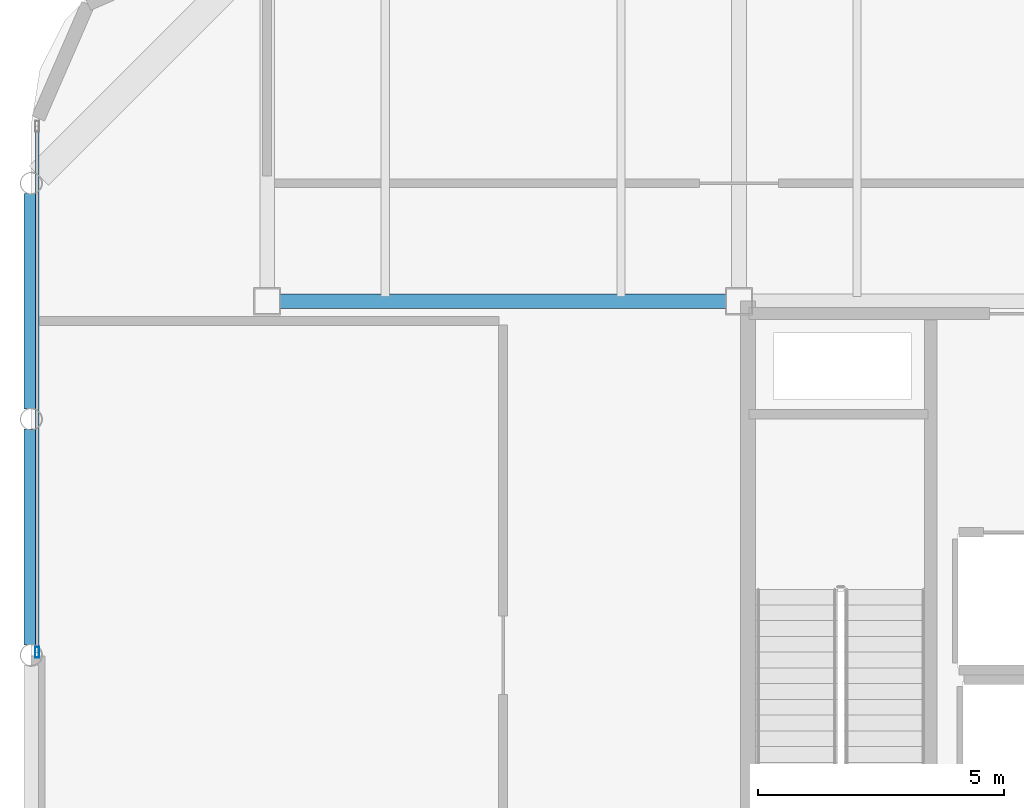
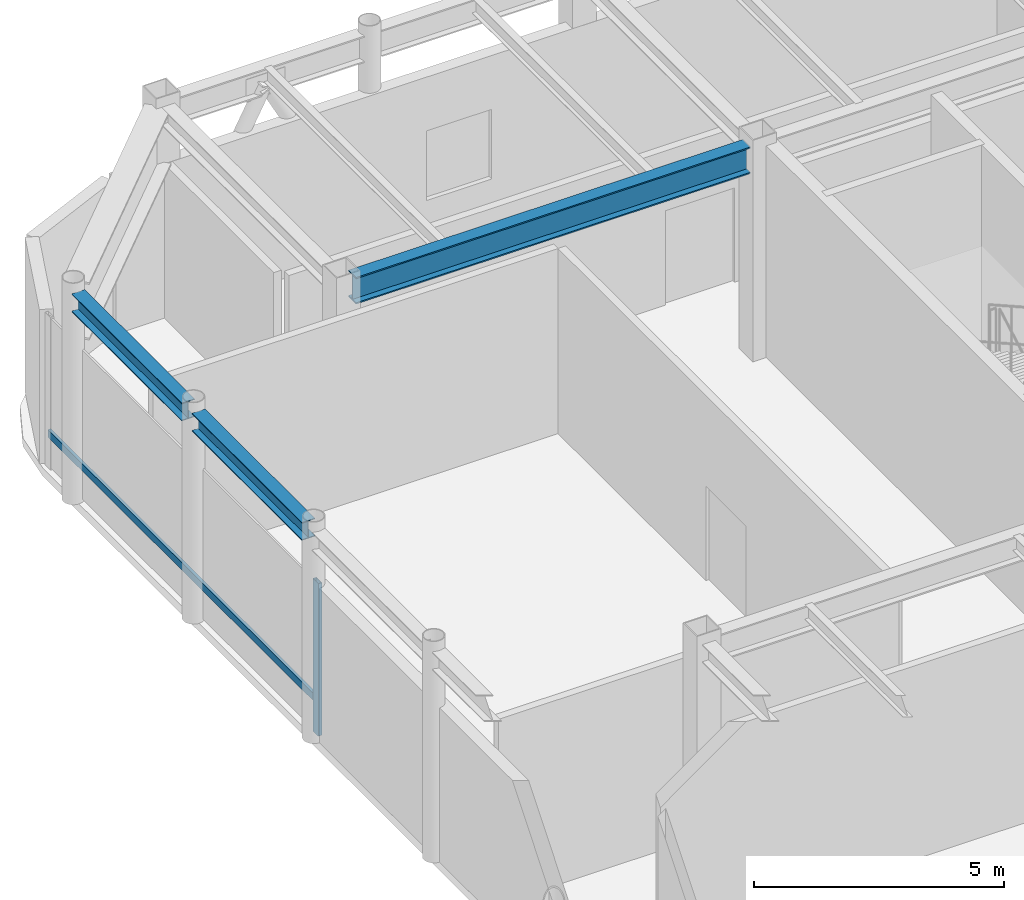
# One storey, part 7 of 21: 3 beams, 2 members, 1 element without a shape of its own.
"""IFC4 building model written with IfcOpenShell, lengths in metres."""

import ifcopenshell
import ifcopenshell.guid

model = None  # the IFC model being written
_history = None  # IfcOwnerHistory: only IFC2X3 demands one
_inside = {}  # id of a spatial element -> (the spatial element, [elements in it])
_under = {}  # id of a project, library or spatial element -> (it, [spatial elements below it])
_declared = {}  # id of a project -> (the project, [libraries it declares])
_typed = {}  # id of a type object -> (the type object, [elements of that type])
_made_of = {}  # id of a material, layer set ... -> (it, [elements and type objects made of it])


def new_model(schema):
    """Start an empty IFC model of exactly this schema.

    Asked for "IFC4X3", IfcOpenShell would pick the latest addendum, in which some entities
    have other attributes; the version numbers below select the first issue.
    IFC2X3 requires an IfcOwnerHistory on every rooted entity: one is made here for all.
    """
    global model, _history
    if schema == "IFC4X3":
        model = ifcopenshell.file(schema_version=(4, 3, 0, 0))
    else:
        model = ifcopenshell.file(schema=schema)
    _inside.clear()
    _under.clear()
    _declared.clear()
    _typed.clear()
    _made_of.clear()
    _history = None
    if model.schema == "IFC2X3":
        org = make("IfcOrganization", Name="unknown")
        user = make(
            "IfcPersonAndOrganization",
            ThePerson=make("IfcPerson", FamilyName="unknown"),
            TheOrganization=org,
        )
        app = make(
            "IfcApplication",
            ApplicationDeveloper=org,
            Version="unknown",
            ApplicationFullName="unknown",
            ApplicationIdentifier="unknown",
        )
        _history = make(
            "IfcOwnerHistory",
            OwningUser=user,
            OwningApplication=app,
            ChangeAction="ADDED",
            CreationDate=0,
        )
    return model


def make(cls, **values):
    """One entity of the class cls with the attributes given. An attribute that is None is left unset."""
    return model.create_entity(
        cls, **{name: value for name, value in values.items() if value is not None}
    )


def rooted(cls, **values):
    """An entity with a GlobalId (a new one), such as an element, a storey or a relation."""
    return make(cls, GlobalId=ifcopenshell.guid.new(), OwnerHistory=_history, **values)


def si_unit(unit_type, name, prefix=None):
    """IfcSIUnit, for example si_unit("LENGTHUNIT", "METRE", prefix="MILLI")."""
    return make("IfcSIUnit", UnitType=unit_type, Prefix=prefix, Name=name)


def assignment(units):
    """IfcUnitAssignment: the units of a project."""
    return None if units is None else make("IfcUnitAssignment", Units=units)


def point(xyz):
    """IfcCartesianPoint."""
    return None if xyz is None else make("IfcCartesianPoint", Coordinates=xyz)


def direction(xyz):
    """IfcDirection."""
    return None if xyz is None else make("IfcDirection", DirectionRatios=xyz)


def frame(location, z_axis=None, x_axis=None):
    """IfcAxis2Placement3D, a coordinate frame: its origin and axes. An axis left out is left unset."""
    return make(
        "IfcAxis2Placement3D",
        Location=point(location),
        Axis=direction(z_axis),
        RefDirection=direction(x_axis),
    )


def frame_2d(location, x_axis=None):
    """IfcAxis2Placement2D, a coordinate frame in the plane: its origin and x axis."""
    return make(
        "IfcAxis2Placement2D", Location=point(location), RefDirection=direction(x_axis)
    )


def origin():
    """The frame at (0, 0, 0) with its axes left unset."""
    return frame((0.0, 0.0, 0.0))


def origin_2d():
    """The frame at (0, 0) in the plane with its x axis left unset."""
    return frame_2d((0.0, 0.0))


def place(relative_to, where):
    """IfcLocalPlacement: puts the frame where relative to a parent placement (None: the world)."""
    return make(
        "IfcLocalPlacement", PlacementRelTo=relative_to, RelativePlacement=where
    )


def context(
    kind, dimensions, precision=None, world=None, true_north=None, identifier=None
):
    """IfcGeometricRepresentationContext, for example the 3D "Model" context."""
    return make(
        "IfcGeometricRepresentationContext",
        ContextIdentifier=identifier,
        ContextType=kind,
        CoordinateSpaceDimension=dimensions,
        Precision=precision,
        WorldCoordinateSystem=world,
        TrueNorth=true_north,
    )


def subcontext(parent, identifier, kind, view, scale=None):
    """IfcGeometricRepresentationSubContext, for example "Body" below "Model"."""
    return make(
        "IfcGeometricRepresentationSubContext",
        ContextIdentifier=identifier,
        ContextType=kind,
        ParentContext=parent,
        TargetScale=scale,
        TargetView=view,
    )


def project(units=None, contexts=None):
    """IfcProject with its units and contexts."""
    return rooted(
        "IfcProject",
        Name="project",
        RepresentationContexts=contexts,
        UnitsInContext=assignment(units),
    )


def spatial(cls, under=None, at=None, **own):
    """A site, building, storey or space (cls), placed at a placement, below another one or the project."""
    s = rooted(cls, ObjectPlacement=at, **own)
    if under is not None:
        _under.setdefault(under.id(), (under, []))[1].append(s)
    return s


def profile(cls, at=None, kind="AREA", **sizes):
    """A parametric profile (cls). Its sizes go by their IFC names, for example OverallWidth=200.0."""
    return make(cls, ProfileType=kind, Position=at, **sizes)


def hollow_rectangle(**sizes):
    """IfcRectangleHollowProfileDef."""
    return profile("IfcRectangleHollowProfileDef", **sizes)


def i_section(**sizes):
    """IfcIShapeProfileDef."""
    return profile("IfcIShapeProfileDef", **sizes)


def extrude(swept, where, along, depth):
    """IfcExtrudedAreaSolid: the profile swept, set in the frame where, extruded along a direction by depth."""
    return make(
        "IfcExtrudedAreaSolid",
        SweptArea=swept,
        Position=where,
        ExtrudedDirection=direction(along),
        Depth=depth,
    )


def shape(context_of_items, identifier, shape_type, items):
    """IfcShapeRepresentation: the items that make up one representation, for example the "Body"."""
    return make(
        "IfcShapeRepresentation",
        ContextOfItems=context_of_items,
        RepresentationIdentifier=identifier,
        RepresentationType=shape_type,
        Items=items,
    )


def material(Name=None, Category=None):
    """IfcMaterial."""
    return make("IfcMaterial", Name=Name, Category=Category)


def layer(
    of_material, thickness, ventilated=None, Name=None, Category=None, Priority=None
):
    """IfcMaterialLayer: one layer of a wall or slab, of a material (None: an air gap)."""
    return make(
        "IfcMaterialLayer",
        Material=of_material,
        LayerThickness=thickness,
        IsVentilated=ventilated,
        Name=Name,
        Category=Category,
        Priority=Priority,
    )


def layer_set(layers, Name=None):
    """IfcMaterialLayerSet."""
    return make("IfcMaterialLayerSet", MaterialLayers=layers, LayerSetName=Name)


def material_profile(
    of_material, cross_section, Name=None, Category=None, Priority=None
):
    """IfcMaterialProfile: a cross section and its material."""
    return make(
        "IfcMaterialProfile",
        Name=Name,
        Material=of_material,
        Profile=cross_section,
        Priority=Priority,
        Category=Category,
    )


def profile_set(profiles, Name=None, composite=None):
    """IfcMaterialProfileSet."""
    return make(
        "IfcMaterialProfileSet",
        Name=Name,
        MaterialProfiles=profiles,
        CompositeProfile=composite,
    )


def made_of(thing, what):
    """Note that an element or type object is made of a material, layer set ...; save() writes the relation."""
    if what is not None:
        _made_of.setdefault(what.id(), (what, []))[1].append(thing)
    return thing


def type_object(cls, material=None, **own):
    """A type object (cls), such as IfcWallType, which elements share."""
    return made_of(rooted(cls, **own), material)


def element(
    cls,
    number,
    at=None,
    inside=None,
    cuts=None,
    type_object=None,
    material=None,
    context=None,
    identifier="Body",
    shape_type=None,
    held_by="IfcProductDefinitionShape",
    body=None,
    shapes=None,
    **own,
):
    """One element of the class cls, such as IfcWall. Its Tag is "e" and its number.

    at: its placement. inside: the storey or other place that contains it. cuts: it is an
    opening in that element (IfcRelVoidsElement). A single representation is given by context,
    identifier, shape_type and body (its items); several are given by shapes. held_by: the class
    of the entity that holds the representations. save() writes the other relations.
    """
    e = rooted(cls, Tag="e%d" % number, ObjectPlacement=at, **own)
    if body is not None:
        shapes = [shape(context, identifier, shape_type, body)]
    if shapes is not None:
        e.Representation = make(held_by, Representations=shapes)
    if inside is not None:
        _inside.setdefault(inside.id(), (inside, []))[1].append(e)
    if cuts is not None:
        rooted(
            "IfcRelVoidsElement", RelatingBuildingElement=cuts, RelatedOpeningElement=e
        )
    if type_object is not None:
        _typed.setdefault(type_object.id(), (type_object, []))[1].append(e)
    return made_of(e, material)


def aggregate(whole, parts):
    """IfcRelAggregates: a whole, such as a stair, and the parts it consists of."""
    return rooted("IfcRelAggregates", RelatingObject=whole, RelatedObjects=parts)


def save(model, path):
    """Write the relations noted so far, then the file.

    IfcRelAggregates (storeys below a building ...), IfcRelContainedInSpatialStructure (elements
    in a storey), IfcRelDefinesByType, IfcRelAssociatesMaterial and IfcRelDeclares: one each for
    every whole, place, type object, material and project.
    """
    for whole, parts in _under.values():
        aggregate(whole, parts)
    for where, things in _inside.values():
        rooted(
            "IfcRelContainedInSpatialStructure",
            RelatedElements=things,
            RelatingStructure=where,
        )
    for kind, things in _typed.values():
        rooted("IfcRelDefinesByType", RelatedObjects=things, RelatingType=kind)
    for what, things in _made_of.values():
        rooted("IfcRelAssociatesMaterial", RelatedObjects=things, RelatingMaterial=what)
    for by, libraries in _declared.values():
        rooted("IfcRelDeclares", RelatingContext=by, RelatedDefinitions=libraries)
    model.write(path)


model = new_model("IFC4")

# Units and contexts
model_context = context("Model", 3, precision=1e-05, world=origin(), true_north=direction((0.0, 1.0)))
body_context = subcontext(model_context, "Body", "Model", "MODEL_VIEW")
ifc_project = project(units=[si_unit("LENGTHUNIT", "METRE"), si_unit("AREAUNIT", "SQUARE_METRE"), si_unit("VOLUMEUNIT", "CUBIC_METRE"), si_unit("PLANEANGLEUNIT", "RADIAN"), si_unit("MASSUNIT", "GRAM", prefix="KILO")], contexts=[model_context])

# Site, building, storey
site_placement = place(None, origin())
site = spatial("IfcSite", under=ifc_project, at=site_placement, CompositionType="ELEMENT")
building_placement = place(site_placement, origin())
building = spatial("IfcBuilding", under=site, at=building_placement, Name="Kallvorn Hotel Tower", CompositionType="ELEMENT")
storey_placement = place(building_placement, frame((0.0, 0.0, 300.60009765625)))
storey = spatial("IfcBuildingStorey", under=building, at=storey_placement, Name="L74", CompositionType="ELEMENT", Elevation=300.60009765625)

# Beams
ifc_material_1 = material(Name="Structural steel S355JR", Category="steel")
ifc_material_profile_1 = material_profile(ifc_material_1, i_section(OverallWidth=0.300048828125, OverallDepth=0.43994140625, WebThickness=0.011474609375, FlangeThickness=0.02099609375, at=origin_2d()), Name="HE 450 A")
ifc_profile_set_1 = profile_set([ifc_material_profile_1], Name="Structural steel S355JR")
beam_type_1 = type_object("IfcBeamType", Name="BM_HE450A", PredefinedType="BEAM", material=ifc_profile_set_1)
beam_1_placement = place(storey_placement, frame((-28.800048828125, 0.20361328125, 4.93994140625), z_axis=(0.0, 1.0, 0.0), x_axis=(-1.0, 0.0, 0.0)))
element("IfcBeam", 1, at=beam_1_placement, inside=storey, type_object=beam_type_1, Name="ROOF Primary Y-Girder 29", PredefinedType="BEAM", context=body_context, shape_type="SweptSolid", body=[
    extrude(i_section(OverallWidth=0.300048828125, OverallDepth=0.43994140625, WebThickness=0.011474609375, FlangeThickness=0.02099609375, at=origin_2d()), origin(), (0.0, 0.0, 1.0), 4.392822265625),
])
beam_2_placement = place(storey_placement, frame((-28.800048828125, 5.00341796875, 4.93994140625), z_axis=(0.0, 1.0, 0.0), x_axis=(-1.0, 0.0, 0.0)))
element("IfcBeam", 2, at=beam_2_placement, inside=storey, type_object=beam_type_1, Name="ROOF Primary Y-Girder 30", PredefinedType="BEAM", context=body_context, shape_type="SweptSolid", body=[
    extrude(i_section(OverallWidth=0.300048828125, OverallDepth=0.43994140625, WebThickness=0.011474609375, FlangeThickness=0.02099609375, at=origin_2d()), origin(), (0.0, 0.0, 1.0), 4.39306640625),
])
ifc_material_2 = material(Name="Structural steel S355JR", Category="steel")
ifc_material_profile_2 = material_profile(ifc_material_2, i_section(OverallWidth=0.300048828125, OverallDepth=0.64990234375, WebThickness=0.01611328125, FlangeThickness=0.031005859375, at=origin_2d()), Name="HE 650 B")
ifc_profile_set_2 = profile_set([ifc_material_profile_2], Name="Structural steel S355JR")
beam_type_2 = type_object("IfcBeamType", Name="BM_HE650B", PredefinedType="BEAM", material=ifc_profile_set_2)
beam_3_placement = place(storey_placement, frame((-23.75, 7.199951171875, 4.8349609375), z_axis=(1.0, 0.0, 0.0), x_axis=(0.0, 1.0, 0.0)))
element("IfcBeam", 3, at=beam_3_placement, inside=storey, type_object=beam_type_2, Name="ROOF Primary X-Girder 11", PredefinedType="BEAM", context=body_context, shape_type="SweptSolid", body=[
    extrude(i_section(OverallWidth=0.300048828125, OverallDepth=0.64990234375, WebThickness=0.01611328125, FlangeThickness=0.031005859375, at=origin_2d()), origin(), (0.0, 0.0, 1.0), 9.10009765625),
])

# Curtain wall, members
ifc_material_3 = material(Name="Thermally broken black-anodised aluminium AA 6063-T6", Category="aluminium")
ifc_layer = layer(ifc_material_3, 0.25)
ifc_layer_set = layer_set([ifc_layer], Name="CW_SYS_6_SUMMIT_OBS")
curtain_wall_type = type_object("IfcCurtainWallType", Name="CW_SYS_6_SUMMIT_OBS", PredefinedType="USERDEFINED", material=ifc_layer_set)
curtain_wall_placement = place(storey_placement, origin())
curtain_wall = element("IfcCurtainWall", 4, at=curtain_wall_placement, inside=storey, type_object=curtain_wall_type, Name="L74 Dark-Glass Curtain Wall CW-L74-WN", ObjectType="UNITISED CURTAIN WALL", PredefinedType="USERDEFINED")
ifc_material_4 = material(Name="Thermally broken black-anodised aluminium AA 6063-T6", Category="aluminium")
ifc_material_profile_3 = material_profile(ifc_material_4, hollow_rectangle(XDim=0.080078125, YDim=0.219970703125, WallThickness=0.0048828125, at=origin_2d()), Name="MUL 220x80")
ifc_profile_set_3 = profile_set([ifc_material_profile_3], Name="Thermally broken black-anodised aluminium AA 6063-T6")
member_type_1 = type_object("IfcMemberType", Name="CW_MULLION_220x80", PredefinedType="MULLION", material=ifc_profile_set_3)
member_1_placement = place(storey_placement, frame((-28.679931640625, 0.06005859375, 0.02001953125), z_axis=(0.0, 0.0, 1.0), x_axis=(1.0, 0.0, 0.0)))
member_1 = element("IfcMember", 5, at=member_1_placement, type_object=member_type_1, Name="CW-L74-WN Mullion 00", PredefinedType="MULLION", context=body_context, shape_type="SweptSolid", body=[
    extrude(hollow_rectangle(XDim=0.080078125, YDim=0.219970703125, WallThickness=0.0048828125, at=origin_2d()), origin(), (0.0, 0.0, 1.0), 3.719970703125),
])
ifc_material_5 = material(Name="Thermally broken black-anodised aluminium AA 6063-T6", Category="aluminium")
ifc_material_profile_4 = material_profile(ifc_material_5, hollow_rectangle(XDim=0.070068359375, YDim=0.179931640625, WallThickness=0.00390625, at=origin_2d()), Name="TRN 180x70")
ifc_profile_set_4 = profile_set([ifc_material_profile_4], Name="Thermally broken black-anodised aluminium AA 6063-T6")
member_type_2 = type_object("IfcMemberType", Name="CW_TRANSOM_180x70", PredefinedType="USERDEFINED", material=ifc_profile_set_4)
member_2_placement = place(storey_placement, frame((-28.679931640625, 0.06005859375, 0.849853515625), z_axis=(0.0, 1.0, 0.0), x_axis=(-1.0, 0.0, 0.0)))
member_2 = element("IfcMember", 6, at=member_2_placement, type_object=member_type_2, Name="CW-L74-WN Transom 00M", ObjectType="TRANSOM", PredefinedType="USERDEFINED", context=body_context, shape_type="SweptSolid", body=[
    extrude(hollow_rectangle(XDim=0.070068359375, YDim=0.179931640625, WallThickness=0.00390625, at=origin_2d()), origin(), (0.0, 0.0, 1.0), 10.699951171875),
])
aggregate(curtain_wall, [member_1, member_2])

save(model, "model.ifc")
